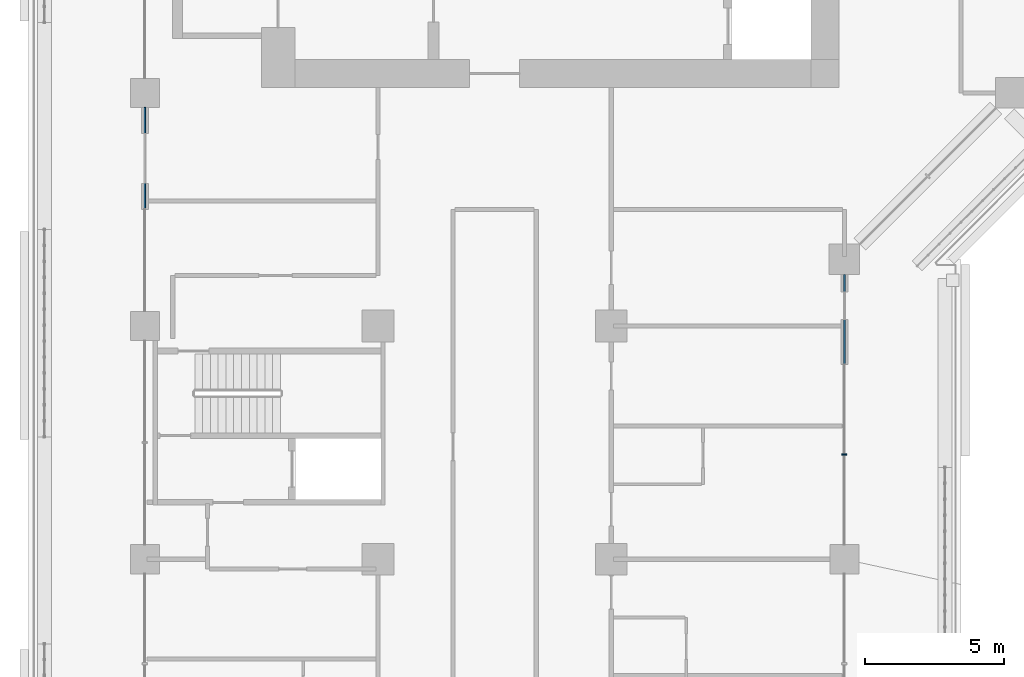
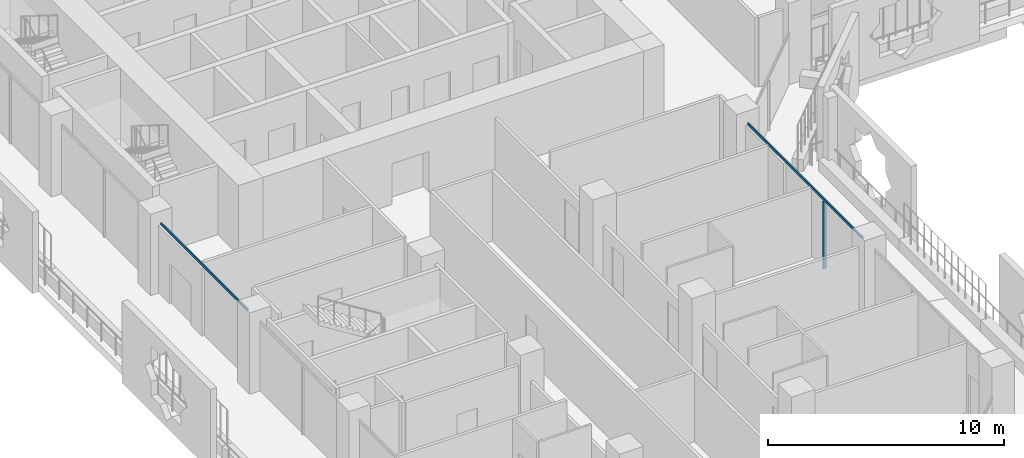
# One storey, part 3 of 25: 3 members, 2 elements without a shape of their own.
"""IFC4 building model written with IfcOpenShell, lengths in metres."""

from ifc_helpers import new_model, si_unit, direction, frame, origin, origin_2d, place, context, subcontext, project, spatial, rectangle, extrude, material, layer, layer_set, material_profile, profile_set, type_object, element, aggregate, save


model = new_model("IFC4")

# Units and contexts
model_context = context("Model", 3, precision=1e-05, world=origin(), true_north=direction((0.0, 1.0)))
body_context = subcontext(model_context, "Body", "Model", "MODEL_VIEW")
ifc_project = project(units=[si_unit("LENGTHUNIT", "METRE"), si_unit("AREAUNIT", "SQUARE_METRE"), si_unit("VOLUMEUNIT", "CUBIC_METRE"), si_unit("PLANEANGLEUNIT", "RADIAN"), si_unit("MASSUNIT", "GRAM", prefix="KILO")], contexts=[model_context])

# Site, building, storey
site_placement = place(None, origin())
site = spatial("IfcSite", under=ifc_project, at=site_placement, CompositionType="ELEMENT")
building_placement = place(site_placement, origin())
building = spatial("IfcBuilding", under=site, at=building_placement, Name="Kawkab Arch Medical Tower", CompositionType="ELEMENT")
storey_placement = place(building_placement, frame((0.0, 0.0, 136.60009765625)))
storey = spatial("IfcBuildingStorey", under=building, at=storey_placement, Name="L31", CompositionType="ELEMENT", Elevation=136.60009765625)

# Curtain wall, member
ifc_material_1 = material(Name="Bronze anodised aluminium curtain wall frame", Category="aluminium")
ifc_layer = layer(ifc_material_1, 0.159912109375)
ifc_layer_set = layer_set([ifc_layer], Name="Bronze anodised aluminium curtain wall frame")
curtain_wall_type = type_object("IfcCurtainWallType", Name="CW1 ward curtain wall", PredefinedType="NOTDEFINED", material=ifc_layer_set)
placement = place(storey_placement, origin())
curtain_wall_1 = element("IfcCurtainWall", 1, at=placement, inside=storey, type_object=curtain_wall_type, Name="CW1 Ward curtain wall R05", PredefinedType="NOTDEFINED")
ifc_material_2 = material(Name="Bronze anodised aluminium curtain wall frame", Category="aluminium")
ifc_material_profile_1 = material_profile(ifc_material_2, rectangle(XDim=0.179931640625, YDim=0.06005859375, at=origin_2d()), Name="AL 60x180")
ifc_profile_set_1 = profile_set([ifc_material_profile_1], Name="Bronze anodised aluminium curtain wall frame")
member_type_1 = type_object("IfcMemberType", Name="CW1 mullion 60 x 180", PredefinedType="MULLION", material=ifc_profile_set_1)
member_1_placement = place(storey_placement, frame((25.199951171875, -38.2333984375, 0.0), z_axis=(0.0, 0.0, 1.0), x_axis=(-1.0, 0.0, 0.0)))
member_1 = element("IfcMember", 2, at=member_1_placement, type_object=member_type_1, Name="CW1 mullion 2.1", PredefinedType="MULLION", context=body_context, shape_type="SweptSolid", body=[
    extrude(rectangle(XDim=0.179931640625, YDim=0.06005859375, at=origin_2d()), origin(), (0.0, 0.0, 1.0), 3.47998046875),
])

curtain_wall_2 = element("IfcCurtainWall", 3, at=placement, inside=storey, type_object=curtain_wall_type, Name="CW1 Ward curtain wall R01", PredefinedType="NOTDEFINED")
ifc_material_3 = material(Name="Bronze anodised aluminium curtain wall frame", Category="aluminium")
ifc_material_profile_2 = material_profile(ifc_material_3, rectangle(XDim=0.06005859375, YDim=0.1201171875, at=origin_2d()), Name="AL 60x120")
ifc_profile_set_2 = profile_set([ifc_material_profile_2], Name="Bronze anodised aluminium curtain wall frame")
member_type_2 = type_object("IfcMemberType", Name="CW1 transom 120 x 60", PredefinedType="USERDEFINED", material=ifc_profile_set_2)
member_2_placement = place(storey_placement, frame((0.0, -25.72509765625, 3.539794921875), z_axis=(0.0, -1.0, 0.0), x_axis=(1.0, 0.0, 0.0)))
member_2 = element("IfcMember", 4, at=member_2_placement, type_object=member_type_2, Name="CW1 transom 4", ObjectType="TRANSOM", PredefinedType="USERDEFINED", context=body_context, shape_type="SweptSolid", body=[
    extrude(rectangle(XDim=0.06005859375, YDim=0.1201171875, at=origin_2d()), origin(), (0.0, 0.0, 1.0), 7.349853515625),
])
aggregate(curtain_wall_2, [member_2])

# Member
member_3_placement = place(storey_placement, frame((25.199951171875, -41.47509765625, 3.539794921875), z_axis=(0.0, 1.0, 0.0), x_axis=(-1.0, 0.0, 0.0)))
member_3 = element("IfcMember", 5, at=member_3_placement, type_object=member_type_2, Name="CW1 transom 2", ObjectType="TRANSOM", PredefinedType="USERDEFINED", context=body_context, shape_type="SweptSolid", body=[
    extrude(rectangle(XDim=0.06005859375, YDim=0.1201171875, at=origin_2d()), origin(), (0.0, 0.0, 1.0), 9.72509765625),
])

aggregate(curtain_wall_1, [member_3, member_1])

save(model, "model.ifc")
